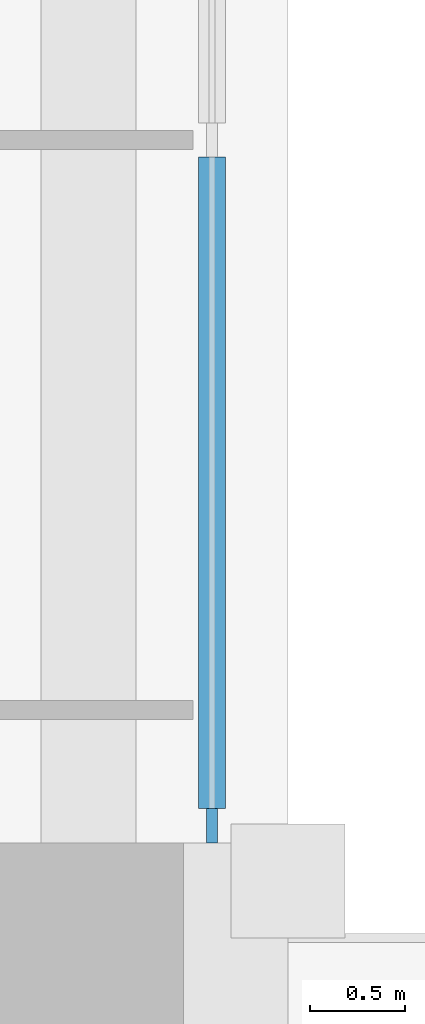
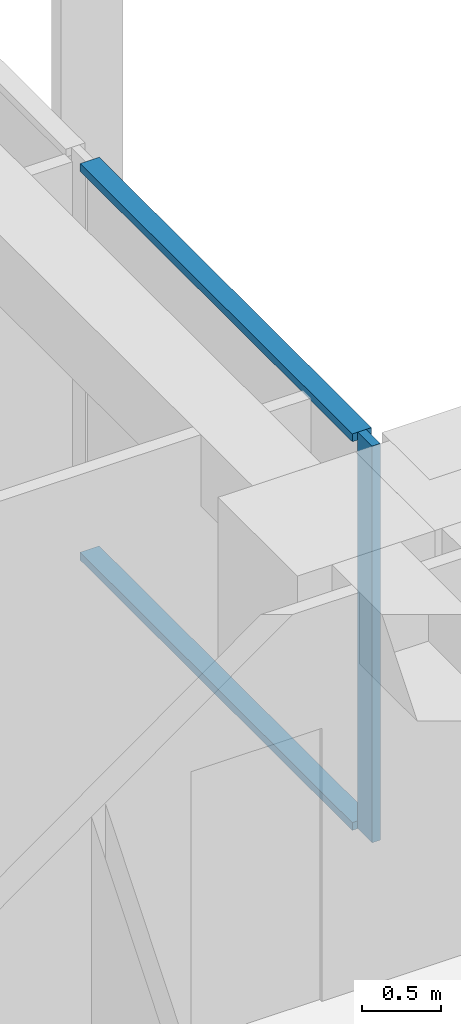
# One storey, part 4 of 18: 3 members, 1 element without a shape of its own.
"""IFC4 building model written with IfcOpenShell, lengths in metres."""

from ifc_helpers import new_model, si_unit, direction, frame, origin, origin_2d, place, context, subcontext, project, spatial, rectangle, extrude, material, material_profile, profile_set, type_object, element, aggregate, save


model = new_model("IFC4")

# Units and contexts
model_context = context("Model", 3, precision=1e-05, world=origin(), true_north=direction((0.0, 1.0)))
body_context = subcontext(model_context, "Body", "Model", "MODEL_VIEW")
ifc_project = project(units=[si_unit("LENGTHUNIT", "METRE"), si_unit("AREAUNIT", "SQUARE_METRE"), si_unit("VOLUMEUNIT", "CUBIC_METRE"), si_unit("PLANEANGLEUNIT", "RADIAN"), si_unit("MASSUNIT", "GRAM", prefix="KILO")], contexts=[model_context])

# Site, building, storey
site_placement = place(None, origin())
site = spatial("IfcSite", under=ifc_project, at=site_placement, CompositionType="ELEMENT")
building_placement = place(site_placement, origin())
building = spatial("IfcBuilding", under=site, at=building_placement, Name="Vermilion Ogive Tower", CompositionType="ELEMENT")
storey_placement = place(building_placement, frame((0.0, 0.0, 199.699951171875)))
storey = spatial("IfcBuildingStorey", under=building, at=storey_placement, Name="L52", CompositionType="ELEMENT", Elevation=199.699951171875)

# Curtain wall, members
ifc_material_1 = material(Name="Low-iron laminated glazing in aluminium frame", Category="aluminium")
curtain_wall_type = type_object("IfcCurtainWallType", Name="Curtain wall CW7", PredefinedType="NOTDEFINED", material=ifc_material_1)
curtain_wall_placement = place(storey_placement, origin())
curtain_wall = element("IfcCurtainWall", 1, at=curtain_wall_placement, inside=storey, type_object=curtain_wall_type, Name="Glazed skin E3", PredefinedType="NOTDEFINED")
ifc_material_2 = material(Name="Aluminium mullion", Category="aluminium")
ifc_material_profile_1 = material_profile(ifc_material_2, rectangle(XDim=0.06005859375, YDim=0.179931640625, at=origin_2d()), Name="AL 60x180")
ifc_profile_set_1 = profile_set([ifc_material_profile_1], Name="Aluminium mullion")
member_type_1 = type_object("IfcMemberType", Name="CW7 mullion 60x180", PredefinedType="MULLION", material=ifc_profile_set_1)
member_1_placement = place(storey_placement, frame((25.85009765625, 4.7900390625, 0.0), z_axis=(0.0, 0.0, 1.0), x_axis=(-1.0, 0.0, 0.0)))
member_1 = element("IfcMember", 2, at=member_1_placement, type_object=member_type_1, Name="CW7-E3 mullion 1", PredefinedType="MULLION", context=body_context, shape_type="SweptSolid", body=[
    extrude(rectangle(XDim=0.06005859375, YDim=0.179931640625, at=origin_2d()), origin(), (0.0, 0.0, 1.0), 3.050048828125),
])
ifc_material_3 = material(Name="Aluminium transom", Category="aluminium")
ifc_material_profile_2 = material_profile(ifc_material_3, rectangle(XDim=0.139892578125, YDim=0.06005859375, at=origin_2d()), Name="AL 60x140")
ifc_profile_set_2 = profile_set([ifc_material_profile_2], Name="Aluminium transom")
member_type_2 = type_object("IfcMemberType", Name="CW7 transom 60x140", PredefinedType="USERDEFINED", material=ifc_profile_set_2)
member_2_placement = place(storey_placement, frame((25.85009765625, 4.8798828125, 0.030029296875), z_axis=(0.0, 1.0, 0.0), x_axis=(-1.0, 0.0, 0.0)))
member_2 = element("IfcMember", 3, at=member_2_placement, type_object=member_type_2, Name="CW7-E3 transom 1.1", ObjectType="TRANSOM", PredefinedType="USERDEFINED", context=body_context, shape_type="SweptSolid", body=[
    extrude(rectangle(XDim=0.139892578125, YDim=0.06005859375, at=origin_2d()), origin(), (0.0, 0.0, 1.0), 3.43017578125),
])
member_3_placement = place(storey_placement, frame((25.85009765625, 4.8798828125, 3.02001953125), z_axis=(0.0, 1.0, 0.0), x_axis=(-1.0, 0.0, 0.0)))
member_3 = element("IfcMember", 4, at=member_3_placement, type_object=member_type_2, Name="CW7-E3 transom 1.2", ObjectType="TRANSOM", PredefinedType="USERDEFINED", context=body_context, shape_type="SweptSolid", body=[
    extrude(rectangle(XDim=0.139892578125, YDim=0.06005859375, at=origin_2d()), origin(), (0.0, 0.0, 1.0), 3.43017578125),
])
aggregate(curtain_wall, [member_1, member_2, member_3])

save(model, "model.ifc")
